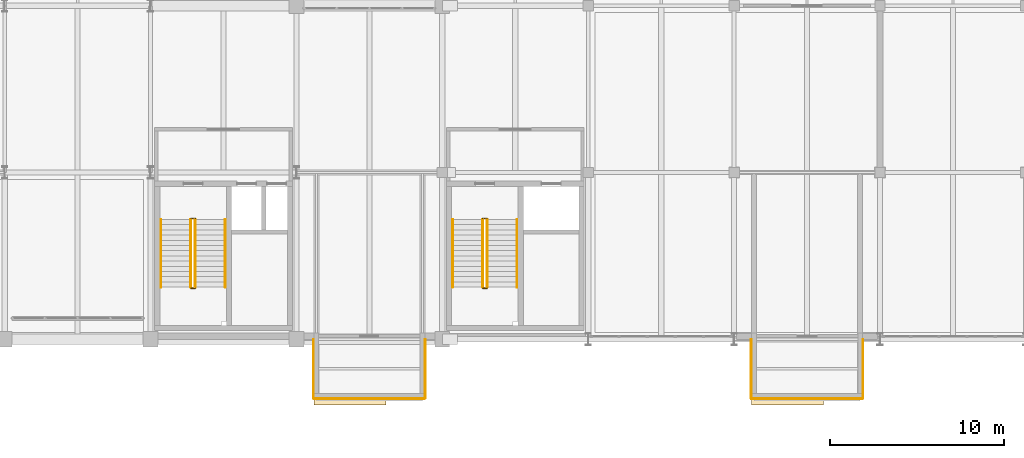
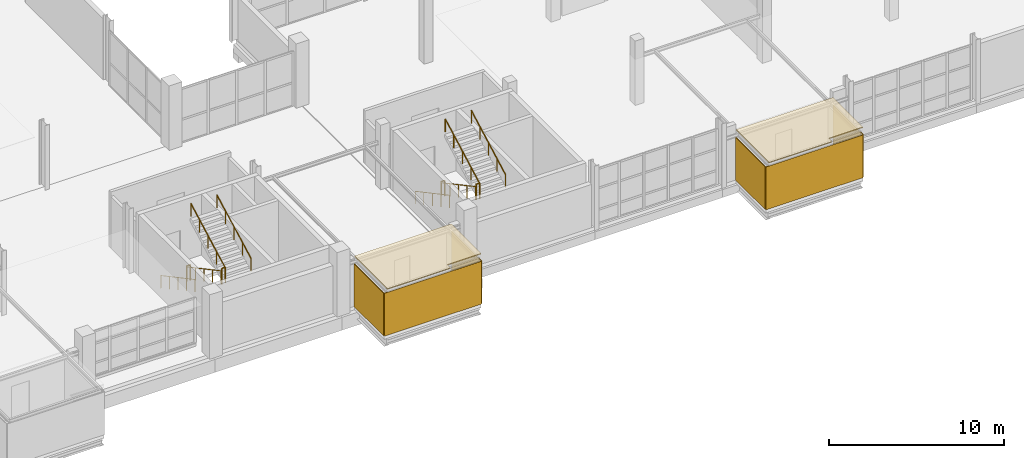
# One storey, part 107 of 113: 12 railings, 8 coverings.
"""IFC4 building model written with IfcOpenShell, lengths in metres."""

from ifc_helpers import new_model, si_unit, direction, frame, frame_2d, origin, origin_2d, place, context, subcontext, project, spatial, polyline, rectangle, circle, outline, extrude, material, layer, layer_set, type_object, element, save


model = new_model("IFC4")

# Units and contexts
model_context = context("Model", 3, precision=1e-05, world=origin(), true_north=direction((0.0, 1.0)))
body_context = subcontext(model_context, "Body", "Model", "MODEL_VIEW")
ifc_project = project(units=[si_unit("LENGTHUNIT", "METRE"), si_unit("AREAUNIT", "SQUARE_METRE"), si_unit("VOLUMEUNIT", "CUBIC_METRE"), si_unit("PLANEANGLEUNIT", "RADIAN"), si_unit("MASSUNIT", "GRAM", prefix="KILO")], contexts=[model_context])

# Site, building, storey
site_placement = place(None, origin())
site = spatial("IfcSite", under=ifc_project, at=site_placement, CompositionType="ELEMENT")
building_placement = place(site_placement, origin())
building = spatial("IfcBuilding", under=site, at=building_placement, Name="Veltarok Museum of Natural Sciences", CompositionType="ELEMENT")
storey_placement = place(building_placement, frame((0.0, 0.0, 8.39990234375)))
storey = spatial("IfcBuildingStorey", under=building, at=storey_placement, Name="L01", CompositionType="ELEMENT", Elevation=8.39990234375)

# Coverings
ifc_material_1 = material(Name="Corrugated zinc cladding")
ifc_layer_1 = layer(ifc_material_1, 0.044921875)
ifc_layer_set_1 = layer_set([ifc_layer_1], Name="Corrugated zinc cladding")
covering_type_1 = type_object("IfcCoveringType", Name="Corrugated Titanium-Zinc Rainscreen Cladding 45", PredefinedType="CLADDING", material=ifc_layer_set_1)
covering_1_placement = place(storey_placement, frame((99.800048828125, -3.422119140625, 0.0), z_axis=(0.0, 0.0, 1.0), x_axis=(1.0, 0.0, 0.0)))
element("IfcCovering", 1, at=covering_1_placement, inside=storey, type_object=covering_type_1, Name="Corrugated Zinc Cladding DB-05-S", PredefinedType="CLADDING", context=body_context, shape_type="SweptSolid", body=[
    extrude(rectangle(XDim=6.39990234375, YDim=0.044921875, at=frame_2d((3.199951171875, 0.0))), origin(), (0.0, 0.0, 1.0), 2.989990234375),
])
for number, where, z_axis, x_axis, name in (
    (2, (99.778076171875, 0.0, 0.0), (0.0, 0.0, 1.0), (0.0, -1.0, 0.0), "Corrugated Zinc Cladding DB-05-W"),
    (3, (106.221923828125, -3.39990234375, 0.0), (0.0, 0.0, 1.0), (0.0, 1.0, 0.0), "Corrugated Zinc Cladding DB-05-E"),
):
    element("IfcCovering", number, at=place(storey_placement, frame(where, z_axis=z_axis, x_axis=x_axis)), inside=storey, type_object=covering_type_1, Name=name, PredefinedType="CLADDING", context=body_context, shape_type="SweptSolid", body=[
        extrude(rectangle(XDim=3.39990234375, YDim=0.044921875, at=frame_2d((1.699951171875, 0.0))), origin(), (0.0, 0.0, 1.0), 2.989990234375),
    ])
covering_2_placement = place(storey_placement, frame((125.0, -3.422119140625, 0.0), z_axis=(0.0, 0.0, 1.0), x_axis=(1.0, 0.0, 0.0)))
element("IfcCovering", 4, at=covering_2_placement, inside=storey, type_object=covering_type_1, Name="Corrugated Zinc Cladding DB-06-S", PredefinedType="CLADDING", context=body_context, shape_type="SweptSolid", body=[
    extrude(rectangle(XDim=6.39990234375, YDim=0.044921875, at=frame_2d((3.199951171875, 0.0))), origin(), (0.0, 0.0, 1.0), 2.989990234375),
])
for number, where, z_axis, x_axis, name in (
    (5, (124.97802734375, 0.0, 0.0), (0.0, 0.0, 1.0), (0.0, -1.0, 0.0), "Corrugated Zinc Cladding DB-06-W"),
    (6, (131.422119140625, -3.39990234375, 0.0), (0.0, 0.0, 1.0), (0.0, 1.0, 0.0), "Corrugated Zinc Cladding DB-06-E"),
):
    element("IfcCovering", number, at=place(storey_placement, frame(where, z_axis=z_axis, x_axis=x_axis)), inside=storey, type_object=covering_type_1, Name=name, PredefinedType="CLADDING", context=body_context, shape_type="SweptSolid", body=[
        extrude(rectangle(XDim=3.39990234375, YDim=0.044921875, at=frame_2d((1.699951171875, 0.0))), origin(), (0.0, 0.0, 1.0), 2.989990234375),
    ])
ifc_material_2 = material(Name="EPDM waterproofing membrane")
ifc_layer_2 = layer(ifc_material_2, 0.06005859375)
ifc_layer_set_2 = layer_set([ifc_layer_2], Name="EPDM waterproofing membrane")
covering_type_2 = type_object("IfcCoveringType", Name="EPDM Waterproofing and Acoustic Roof Membrane 60", PredefinedType="ROOFING", material=ifc_layer_set_2)
covering_3_placement = place(storey_placement, frame((0.0, 0.0, 3.4501953125)))
element("IfcCovering", 7, at=covering_3_placement, inside=storey, type_object=covering_type_2, Name="Cabinet Box Roof Membrane DB-05", PredefinedType="ROOFING", context=body_context, shape_type="SweptSolid", body=[
    extrude(outline(polyline([(99.800048828125, -3.780029296875), (103.9599609375, -3.780029296875), (103.9599609375, -3.39990234375), (106.199951171875, -3.39990234375), (106.199951171875, 0.0), (99.800048828125, 0.0), (99.800048828125, -3.780029296875)])), origin(), (0.0, 0.0, 1.0), 0.059814453125),
])
covering_4_placement = place(storey_placement, frame((0.0, 0.0, 3.4501953125)))
element("IfcCovering", 8, at=covering_4_placement, inside=storey, type_object=covering_type_2, Name="Cabinet Box Roof Membrane DB-06", PredefinedType="ROOFING", context=body_context, shape_type="SweptSolid", body=[
    extrude(outline(polyline([(125.0, -3.780029296875), (129.159912109375, -3.780029296875), (129.159912109375, -3.39990234375), (131.39990234375, -3.39990234375), (131.39990234375, 0.0), (125.0, 0.0), (125.0, -3.780029296875)])), origin(), (0.0, 0.0, 1.0), 0.059814453125),
])

# Railings
ifc_material_3 = material(Name="Steel S355J2", Category="steel")
railing_type_1 = type_object("IfcRailingType", Name="Interior Atrium and Stairwell Guardrail 1100", PredefinedType="GUARDRAIL", material=ifc_material_3)
for number, where, name in (
    (9, (92.72998046875, 6.949951171875, 0.0), "Stairwell Floor Guard ST-02 L01"),
    (10, (92.72998046875, 2.93994140625, 2.25), "Landing Well Guard ST-02-L01-L1"),
    (11, (109.530029296875, 6.949951171875, 0.0), "Stairwell Floor Guard ST-04 L01"),
    (12, (109.530029296875, 2.93994140625, 2.25), "Landing Well Guard ST-04-L01-L1"),
):
    element("IfcRailing", number, at=place(storey_placement, frame(where)), inside=storey, type_object=railing_type_1, Name=name, PredefinedType="GUARDRAIL", context=body_context, shape_type="SweptSolid", body=[
        extrude(circle(Radius=0.02392578125, at=origin_2d()), frame((0.0, 0.0, 1.076171875), z_axis=(1.0, 0.0, 0.0), x_axis=(0.0, 1.0, 0.0)), (0.0, 0.0, 1.0), 0.239990234375),
        extrude(circle(Radius=0.02099609375, at=origin_2d()), origin(), (0.0, 0.0, 1.0), 1.052001953125),
        extrude(circle(Radius=0.02099609375, at=origin_2d()), frame((0.239990234375, 0.0, 0.0)), (0.0, 0.0, 1.0), 1.052001953125),
    ])
railing_type_2 = type_object("IfcRailingType", Name="Stair Flight Tubular Steel Handrail 900", PredefinedType="HANDRAIL", material=ifc_material_3)
for number, where, name in (
    (13, (91.0, 6.89990234375, 0.160888671875), "Stair Handrail ST-02-L01-F1L"),
    (14, (92.719970703125, 6.89990234375, 0.160888671875), "Stair Handrail ST-02-L01-F1R"),
):
    element("IfcRailing", number, at=place(storey_placement, frame(where)), inside=storey, type_object=railing_type_2, Name=name, PredefinedType="HANDRAIL", context=body_context, shape_type="SweptSolid", body=[
        extrude(circle(Radius=0.02392578125, at=origin_2d()), frame((0.0, 0.0, 0.8759765625), z_axis=(0.0, -0.881491454809, 0.472199973632), x_axis=(1.0, 0.0, 0.0)), (0.0, 0.0, 1.0), 4.42431640625),
        extrude(circle(Radius=0.02099609375, at=origin_2d()), origin(), (0.0, 0.0, 1.0), 0.851806640625),
        extrude(circle(Radius=0.02099609375, at=origin_2d()), frame((0.0, -0.97509765625, 0.522216796875)), (0.0, 0.0, 1.0), 0.851806640625),
        extrude(circle(Radius=0.02099609375, at=origin_2d()), frame((0.0, -1.949951171875, 1.04443359375)), (0.0, 0.0, 1.0), 0.851806640625),
        extrude(circle(Radius=0.02099609375, at=origin_2d()), frame((0.0, -2.9248046875, 1.56689453125)), (0.0, 0.0, 1.0), 0.851806640625),
        extrude(circle(Radius=0.02099609375, at=origin_2d()), frame((0.0, -3.89990234375, 2.089111328125)), (0.0, 0.0, 1.0), 0.851806640625),
    ])
for number, where, name in (
    (15, (92.97998046875, 3.0, 2.410888671875), "Stair Handrail ST-02-L01-F2L"),
    (16, (94.699951171875, 3.0, 2.410888671875), "Stair Handrail ST-02-L01-F2R"),
):
    element("IfcRailing", number, at=place(storey_placement, frame(where)), inside=storey, type_object=railing_type_2, Name=name, PredefinedType="HANDRAIL", context=body_context, shape_type="SweptSolid", body=[
        extrude(circle(Radius=0.02392578125, at=origin_2d()), frame((0.0, 0.0, 0.8759765625), z_axis=(0.0, 0.881491454809, 0.472199973632), x_axis=(-1.0, 0.0, 0.0)), (0.0, 0.0, 1.0), 4.42431640625),
        extrude(circle(Radius=0.02099609375, at=origin_2d()), origin(), (0.0, 0.0, 1.0), 0.851806640625),
        extrude(circle(Radius=0.02099609375, at=origin_2d()), frame((0.0, 0.97509765625, 0.522216796875)), (0.0, 0.0, 1.0), 0.851806640625),
        extrude(circle(Radius=0.02099609375, at=origin_2d()), frame((0.0, 1.949951171875, 1.04443359375)), (0.0, 0.0, 1.0), 0.851806640625),
        extrude(circle(Radius=0.02099609375, at=origin_2d()), frame((0.0, 2.9248046875, 1.56689453125)), (0.0, 0.0, 1.0), 0.851806640625),
        extrude(circle(Radius=0.02099609375, at=origin_2d()), frame((0.0, 3.89990234375, 2.089111328125)), (0.0, 0.0, 1.0), 0.851806640625),
    ])
for number, where, name in (
    (17, (107.800048828125, 6.89990234375, 0.160888671875), "Stair Handrail ST-04-L01-F1L"),
    (18, (109.52001953125, 6.89990234375, 0.160888671875), "Stair Handrail ST-04-L01-F1R"),
):
    element("IfcRailing", number, at=place(storey_placement, frame(where)), inside=storey, type_object=railing_type_2, Name=name, PredefinedType="HANDRAIL", context=body_context, shape_type="SweptSolid", body=[
        extrude(circle(Radius=0.02392578125, at=origin_2d()), frame((0.0, 0.0, 0.8759765625), z_axis=(0.0, -0.881491454809, 0.472199973632), x_axis=(1.0, 0.0, 0.0)), (0.0, 0.0, 1.0), 4.42431640625),
        extrude(circle(Radius=0.02099609375, at=origin_2d()), origin(), (0.0, 0.0, 1.0), 0.851806640625),
        extrude(circle(Radius=0.02099609375, at=origin_2d()), frame((0.0, -0.97509765625, 0.522216796875)), (0.0, 0.0, 1.0), 0.851806640625),
        extrude(circle(Radius=0.02099609375, at=origin_2d()), frame((0.0, -1.949951171875, 1.04443359375)), (0.0, 0.0, 1.0), 0.851806640625),
        extrude(circle(Radius=0.02099609375, at=origin_2d()), frame((0.0, -2.9248046875, 1.56689453125)), (0.0, 0.0, 1.0), 0.851806640625),
        extrude(circle(Radius=0.02099609375, at=origin_2d()), frame((0.0, -3.89990234375, 2.089111328125)), (0.0, 0.0, 1.0), 0.851806640625),
    ])
for number, where, name in (
    (19, (109.780029296875, 3.0, 2.410888671875), "Stair Handrail ST-04-L01-F2L"),
    (20, (111.5, 3.0, 2.410888671875), "Stair Handrail ST-04-L01-F2R"),
):
    element("IfcRailing", number, at=place(storey_placement, frame(where)), inside=storey, type_object=railing_type_2, Name=name, PredefinedType="HANDRAIL", context=body_context, shape_type="SweptSolid", body=[
        extrude(circle(Radius=0.02392578125, at=origin_2d()), frame((0.0, 0.0, 0.8759765625), z_axis=(0.0, 0.881491454809, 0.472199973632), x_axis=(-1.0, 0.0, 0.0)), (0.0, 0.0, 1.0), 4.42431640625),
        extrude(circle(Radius=0.02099609375, at=origin_2d()), origin(), (0.0, 0.0, 1.0), 0.851806640625),
        extrude(circle(Radius=0.02099609375, at=origin_2d()), frame((0.0, 0.97509765625, 0.522216796875)), (0.0, 0.0, 1.0), 0.851806640625),
        extrude(circle(Radius=0.02099609375, at=origin_2d()), frame((0.0, 1.949951171875, 1.04443359375)), (0.0, 0.0, 1.0), 0.851806640625),
        extrude(circle(Radius=0.02099609375, at=origin_2d()), frame((0.0, 2.9248046875, 1.56689453125)), (0.0, 0.0, 1.0), 0.851806640625),
        extrude(circle(Radius=0.02099609375, at=origin_2d()), frame((0.0, 3.89990234375, 2.089111328125)), (0.0, 0.0, 1.0), 0.851806640625),
    ])

save(model, "model.ifc")
